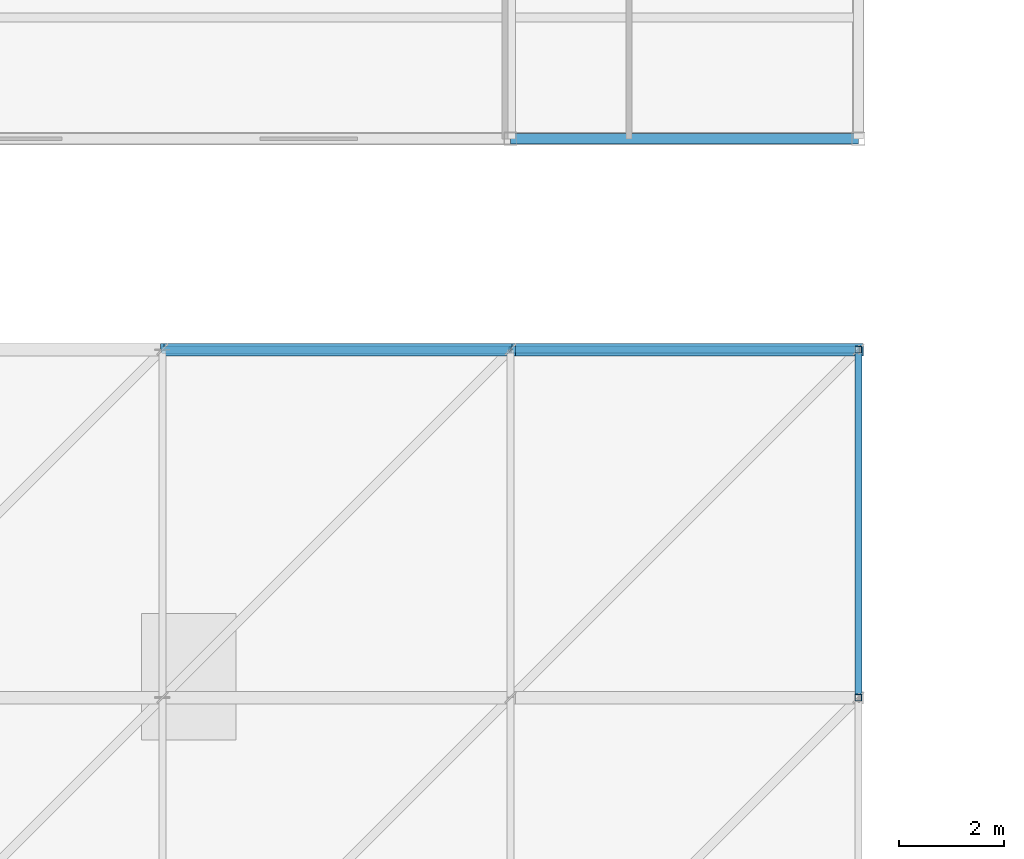
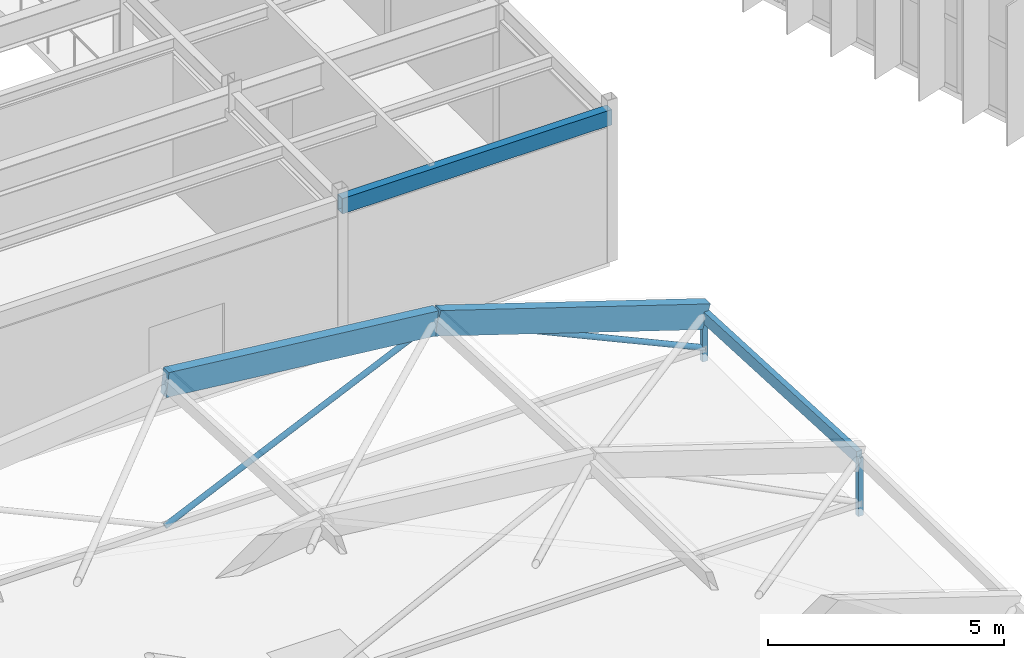
# One storey, part 30 of 157: 7 members, 1 beam.
"""IFC4 building model written with IfcOpenShell, lengths in metres."""

from ifc_helpers import new_model, si_unit, direction, frame, origin, origin_2d, place, context, subcontext, project, spatial, rectangle, hollow_rectangle, hollow_circle, extrude, material, material_profile, profile_set, type_object, element, save


model = new_model("IFC4")

# Units and contexts
model_context = context("Model", 3, precision=1e-05, world=origin(), true_north=direction((0.0, 1.0)))
body_context = subcontext(model_context, "Body", "Model", "MODEL_VIEW")
ifc_project = project(units=[si_unit("LENGTHUNIT", "METRE"), si_unit("AREAUNIT", "SQUARE_METRE"), si_unit("VOLUMEUNIT", "CUBIC_METRE"), si_unit("PLANEANGLEUNIT", "RADIAN"), si_unit("MASSUNIT", "GRAM", prefix="KILO")], contexts=[model_context])

# Site, building, storey
site_placement = place(None, origin())
site = spatial("IfcSite", under=ifc_project, at=site_placement, CompositionType="ELEMENT")
building_placement = place(site_placement, origin())
building = spatial("IfcBuilding", under=site, at=building_placement, Name="Karori Crest Natural Sciences Institute", CompositionType="ELEMENT")
storey_placement = place(building_placement, frame((0.0, 0.0, 13.300048828125)))
storey = spatial("IfcBuildingStorey", under=building, at=storey_placement, Name="L03", CompositionType="ELEMENT", Elevation=13.300048828125)

# Beam
ifc_material_1 = material(Name="Hollow structural steel AS/NZS 1163 Grade C350", Category="steel")
ifc_material_profile_1 = material_profile(ifc_material_1, hollow_rectangle(XDim=0.199951171875, YDim=0.39990234375, WallThickness=0.012451171875, at=origin_2d()), Name="RHS400x200x12.5")
ifc_profile_set_1 = profile_set([ifc_material_profile_1], Name="Hollow structural steel AS/NZS 1163 Grade C350")
beam_type = type_object("IfcBeamType", Name="BT-14", PredefinedType="SPANDREL", material=ifc_profile_set_1)
beam_placement = place(storey_placement, frame((20.60009765625, 31.199951171875, 3.719970703125), z_axis=(1.0, 0.0, 0.0), x_axis=(0.0, 1.0, 0.0)))
element("IfcBeam", 1, at=beam_placement, inside=storey, type_object=beam_type, Name="Beam B-1142", PredefinedType="SPANDREL", context=body_context, shape_type="SweptSolid", body=[
    extrude(hollow_rectangle(XDim=0.199951171875, YDim=0.39990234375, WallThickness=0.012451171875, at=origin_2d()), origin(), (0.0, 0.0, 1.0), 6.599853515625),
])

# Members
ifc_material_2 = material(Name="Glulam GL12", Category="wood")
ifc_material_profile_2 = material_profile(ifc_material_2, rectangle(XDim=0.135009765625, YDim=0.31494140625, at=origin_2d()), Name="GL135x315")
ifc_profile_set_2 = profile_set([ifc_material_profile_2], Name="Glulam GL12")
member_type_1 = type_object("IfcMemberType", Name="MT-12", PredefinedType="PURLIN", material=ifc_profile_set_2)
member_1_placement = place(storey_placement, frame((27.199951171875, 20.60009765625, 1.2880859375), z_axis=(0.0, 0.998840383429, -0.048144453801), x_axis=(-1.0, 0.0, 0.0)))
element("IfcMember", 2, at=member_1_placement, inside=storey, type_object=member_type_1, Name="Member M-0338", PredefinedType="PURLIN", context=body_context, shape_type="SweptSolid", body=[
    extrude(rectangle(XDim=0.135009765625, YDim=0.31494140625, at=origin_2d()), origin(), (0.0, 0.0, 1.0), 6.607421875),
])
ifc_material_profile_3 = material_profile(ifc_material_2, rectangle(XDim=0.239990234375, YDim=0.6298828125, at=origin_2d()), Name="GL240x630")
ifc_profile_set_3 = profile_set([ifc_material_profile_3], Name="Glulam GL12")
member_type_2 = type_object("IfcMemberType", Name="MT-15", PredefinedType="USERDEFINED", material=ifc_profile_set_3)
member_2_placement = place(storey_placement, frame((14.0, 27.199951171875, 3.83984375), z_axis=(0.994225090035, 0.0, -0.107314818847), x_axis=(0.0, 1.0, 0.0)))
element("IfcMember", 3, at=member_2_placement, inside=storey, type_object=member_type_2, Name="Member M-0347", ObjectType="ARCH_SEGMENT", PredefinedType="USERDEFINED", context=body_context, shape_type="SweptSolid", body=[
    extrude(rectangle(XDim=0.239990234375, YDim=0.6298828125, at=origin_2d()), origin(), (0.0, 0.0, 1.0), 6.638427734375),
])
member_3_placement = place(storey_placement, frame((20.60009765625, 27.199951171875, 3.12744140625), z_axis=(0.951351409962, 0.0, -0.308107927134), x_axis=(0.0, 1.0, 0.0)))
element("IfcMember", 4, at=member_3_placement, inside=storey, type_object=member_type_2, Name="Member M-0349", ObjectType="ARCH_SEGMENT", PredefinedType="USERDEFINED", context=body_context, shape_type="SweptSolid", body=[
    extrude(rectangle(XDim=0.239990234375, YDim=0.6298828125, at=origin_2d()), origin(), (0.0, 0.0, 1.0), 6.937255859375),
])
ifc_material_profile_4 = material_profile(ifc_material_1, hollow_circle(Radius=0.06982421875, WallThickness=0.00634765625, at=origin_2d()), Name="CHS139.7x6.4")
ifc_profile_set_4 = profile_set([ifc_material_profile_4], Name="Hollow structural steel AS/NZS 1163 Grade C350")
member_type_3 = type_object("IfcMemberType", Name="MT-18-IL", PredefinedType="STRUT", material=ifc_profile_set_4)
for number, where, z_axis, x_axis, name in (
    (5, (14.0, 27.199951171875, 0.119873046875), (0.909975288088, 0.0, 0.414662483316), (0.0, 1.0, 0.0), "Member M-0348"),
    (6, (27.199951171875, 27.199951171875, 0.119873046875), (-0.909969500085, 0.0, 0.414675184831), (0.0, -1.0, 0.0), "Member M-0350"),
):
    element("IfcMember", number, at=place(storey_placement, frame(where, z_axis=z_axis, x_axis=x_axis)), inside=storey, type_object=member_type_3, Name=name, PredefinedType="STRUT", context=body_context, shape_type="SweptSolid", body=[
        extrude(hollow_circle(Radius=0.06982421875, WallThickness=0.00634765625, at=origin_2d()), origin(), (0.0, 0.0, 1.0), 7.2529296875),
    ])
ifc_material_profile_5 = material_profile(ifc_material_1, hollow_rectangle(XDim=0.125, YDim=0.125, WallThickness=0.006103515625, at=origin_2d()), Name="SHS125x125x6")
ifc_profile_set_5 = profile_set([ifc_material_profile_5], Name="Hollow structural steel AS/NZS 1163 Grade C350")
member_type_4 = type_object("IfcMemberType", Name="MT-20", PredefinedType="STRUT", material=ifc_profile_set_5)
member_4_placement = place(storey_placement, frame((27.199951171875, 20.60009765625, -0.199951171875), z_axis=(0.0, 0.0, 1.0), x_axis=(1.0, 0.0, 0.0)))
element("IfcMember", 7, at=member_4_placement, inside=storey, type_object=member_type_4, Name="Member M-0321", PredefinedType="STRUT", context=body_context, shape_type="SweptSolid", body=[
    extrude(hollow_rectangle(XDim=0.125, YDim=0.125, WallThickness=0.006103515625, at=origin_2d()), origin(), (0.0, 0.0, 1.0), 1.508056640625),
])
member_5_placement = place(storey_placement, frame((27.199951171875, 27.199951171875, -0.199951171875), z_axis=(0.0, 0.0, 1.0), x_axis=(1.0, 0.0, 0.0)))
element("IfcMember", 8, at=member_5_placement, inside=storey, type_object=member_type_4, Name="Member M-0341", PredefinedType="STRUT", context=body_context, shape_type="SweptSolid", body=[
    extrude(hollow_rectangle(XDim=0.125, YDim=0.125, WallThickness=0.006103515625, at=origin_2d()), origin(), (0.0, 0.0, 1.0), 1.18994140625),
])

save(model, "model.ifc")
